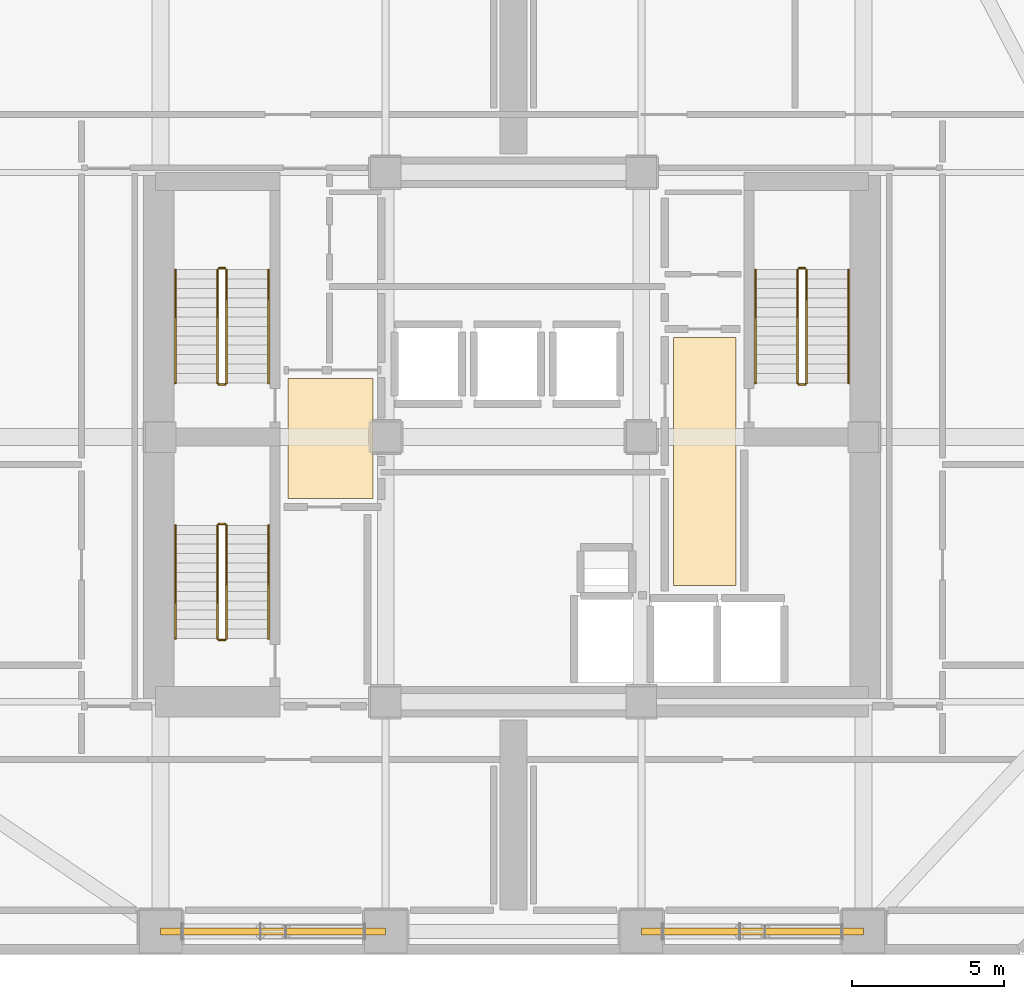
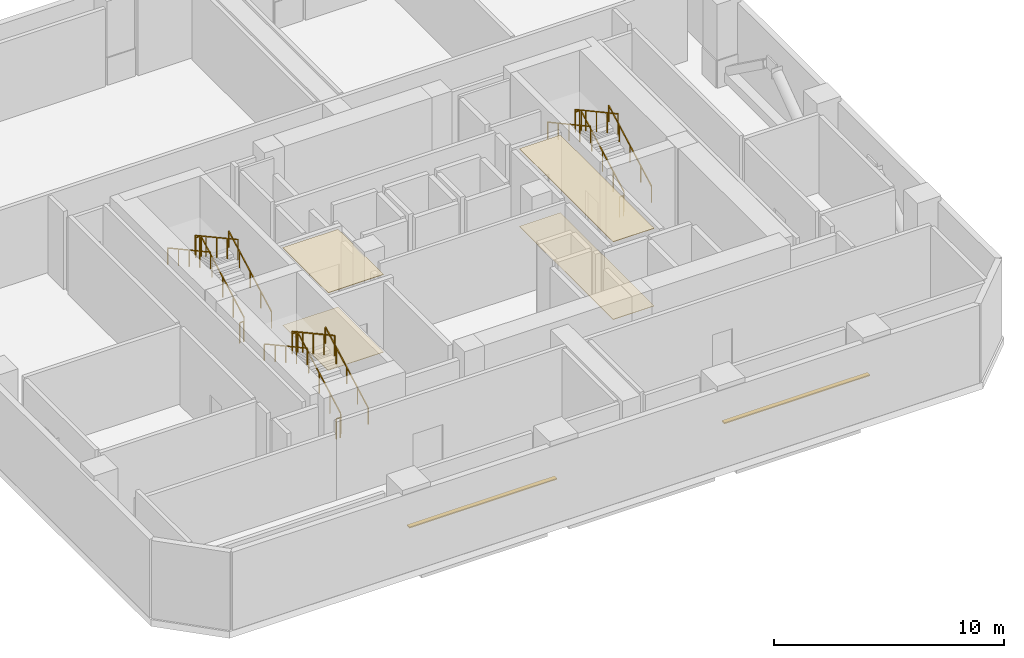
# One storey, part 11 of 11: 18 railings, 4 coverings, 2 shading devices.
"""IFC4 building model written with IfcOpenShell, lengths in metres."""

import ifcopenshell
import ifcopenshell.guid

model = None  # the IFC model being written
_history = None  # IfcOwnerHistory: only IFC2X3 demands one
_inside = {}  # id of a spatial element -> (the spatial element, [elements in it])
_under = {}  # id of a project, library or spatial element -> (it, [spatial elements below it])
_declared = {}  # id of a project -> (the project, [libraries it declares])
_typed = {}  # id of a type object -> (the type object, [elements of that type])
_made_of = {}  # id of a material, layer set ... -> (it, [elements and type objects made of it])


def new_model(schema):
    """Start an empty IFC model of exactly this schema.

    Asked for "IFC4X3", IfcOpenShell would pick the latest addendum, in which some entities
    have other attributes; the version numbers below select the first issue.
    IFC2X3 requires an IfcOwnerHistory on every rooted entity: one is made here for all.
    """
    global model, _history
    if schema == "IFC4X3":
        model = ifcopenshell.file(schema_version=(4, 3, 0, 0))
    else:
        model = ifcopenshell.file(schema=schema)
    _inside.clear()
    _under.clear()
    _declared.clear()
    _typed.clear()
    _made_of.clear()
    _history = None
    if model.schema == "IFC2X3":
        org = make("IfcOrganization", Name="unknown")
        user = make(
            "IfcPersonAndOrganization",
            ThePerson=make("IfcPerson", FamilyName="unknown"),
            TheOrganization=org,
        )
        app = make(
            "IfcApplication",
            ApplicationDeveloper=org,
            Version="unknown",
            ApplicationFullName="unknown",
            ApplicationIdentifier="unknown",
        )
        _history = make(
            "IfcOwnerHistory",
            OwningUser=user,
            OwningApplication=app,
            ChangeAction="ADDED",
            CreationDate=0,
        )
    return model


def make(cls, **values):
    """One entity of the class cls with the attributes given. An attribute that is None is left unset."""
    return model.create_entity(
        cls, **{name: value for name, value in values.items() if value is not None}
    )


def rooted(cls, **values):
    """An entity with a GlobalId (a new one), such as an element, a storey or a relation."""
    return make(cls, GlobalId=ifcopenshell.guid.new(), OwnerHistory=_history, **values)


def si_unit(unit_type, name, prefix=None):
    """IfcSIUnit, for example si_unit("LENGTHUNIT", "METRE", prefix="MILLI")."""
    return make("IfcSIUnit", UnitType=unit_type, Prefix=prefix, Name=name)


def assignment(units):
    """IfcUnitAssignment: the units of a project."""
    return None if units is None else make("IfcUnitAssignment", Units=units)


def point(xyz):
    """IfcCartesianPoint."""
    return None if xyz is None else make("IfcCartesianPoint", Coordinates=xyz)


def direction(xyz):
    """IfcDirection."""
    return None if xyz is None else make("IfcDirection", DirectionRatios=xyz)


def frame(location, z_axis=None, x_axis=None):
    """IfcAxis2Placement3D, a coordinate frame: its origin and axes. An axis left out is left unset."""
    return make(
        "IfcAxis2Placement3D",
        Location=point(location),
        Axis=direction(z_axis),
        RefDirection=direction(x_axis),
    )


def frame_2d(location, x_axis=None):
    """IfcAxis2Placement2D, a coordinate frame in the plane: its origin and x axis."""
    return make(
        "IfcAxis2Placement2D", Location=point(location), RefDirection=direction(x_axis)
    )


def origin():
    """The frame at (0, 0, 0) with its axes left unset."""
    return frame((0.0, 0.0, 0.0))


def origin_2d():
    """The frame at (0, 0) in the plane with its x axis left unset."""
    return frame_2d((0.0, 0.0))


def place(relative_to, where):
    """IfcLocalPlacement: puts the frame where relative to a parent placement (None: the world)."""
    return make(
        "IfcLocalPlacement", PlacementRelTo=relative_to, RelativePlacement=where
    )


def context(
    kind, dimensions, precision=None, world=None, true_north=None, identifier=None
):
    """IfcGeometricRepresentationContext, for example the 3D "Model" context."""
    return make(
        "IfcGeometricRepresentationContext",
        ContextIdentifier=identifier,
        ContextType=kind,
        CoordinateSpaceDimension=dimensions,
        Precision=precision,
        WorldCoordinateSystem=world,
        TrueNorth=true_north,
    )


def subcontext(parent, identifier, kind, view, scale=None):
    """IfcGeometricRepresentationSubContext, for example "Body" below "Model"."""
    return make(
        "IfcGeometricRepresentationSubContext",
        ContextIdentifier=identifier,
        ContextType=kind,
        ParentContext=parent,
        TargetScale=scale,
        TargetView=view,
    )


def project(units=None, contexts=None):
    """IfcProject with its units and contexts."""
    return rooted(
        "IfcProject",
        Name="project",
        RepresentationContexts=contexts,
        UnitsInContext=assignment(units),
    )


def spatial(cls, under=None, at=None, **own):
    """A site, building, storey or space (cls), placed at a placement, below another one or the project."""
    s = rooted(cls, ObjectPlacement=at, **own)
    if under is not None:
        _under.setdefault(under.id(), (under, []))[1].append(s)
    return s


def polyline(points):
    """IfcPolyline through the points."""
    return make("IfcPolyline", Points=[point(p) for p in points])


def profile(cls, at=None, kind="AREA", **sizes):
    """A parametric profile (cls). Its sizes go by their IFC names, for example OverallWidth=200.0."""
    return make(cls, ProfileType=kind, Position=at, **sizes)


def rectangle(**sizes):
    """IfcRectangleProfileDef."""
    return profile("IfcRectangleProfileDef", **sizes)


def outline(outer, holes=None, kind="AREA"):
    """IfcArbitraryClosedProfileDef: a profile drawn as a closed curve; with holes, ...WithVoids."""
    if holes is None:
        return make("IfcArbitraryClosedProfileDef", ProfileType=kind, OuterCurve=outer)
    return make(
        "IfcArbitraryProfileDefWithVoids",
        ProfileType=kind,
        OuterCurve=outer,
        InnerCurves=holes,
    )


def extrude(swept, where, along, depth):
    """IfcExtrudedAreaSolid: the profile swept, set in the frame where, extruded along a direction by depth."""
    return make(
        "IfcExtrudedAreaSolid",
        SweptArea=swept,
        Position=where,
        ExtrudedDirection=direction(along),
        Depth=depth,
    )


def shape(context_of_items, identifier, shape_type, items):
    """IfcShapeRepresentation: the items that make up one representation, for example the "Body"."""
    return make(
        "IfcShapeRepresentation",
        ContextOfItems=context_of_items,
        RepresentationIdentifier=identifier,
        RepresentationType=shape_type,
        Items=items,
    )


def material(Name=None, Category=None):
    """IfcMaterial."""
    return make("IfcMaterial", Name=Name, Category=Category)


def layer(
    of_material, thickness, ventilated=None, Name=None, Category=None, Priority=None
):
    """IfcMaterialLayer: one layer of a wall or slab, of a material (None: an air gap)."""
    return make(
        "IfcMaterialLayer",
        Material=of_material,
        LayerThickness=thickness,
        IsVentilated=ventilated,
        Name=Name,
        Category=Category,
        Priority=Priority,
    )


def layer_set(layers, Name=None):
    """IfcMaterialLayerSet."""
    return make("IfcMaterialLayerSet", MaterialLayers=layers, LayerSetName=Name)


def made_of(thing, what):
    """Note that an element or type object is made of a material, layer set ...; save() writes the relation."""
    if what is not None:
        _made_of.setdefault(what.id(), (what, []))[1].append(thing)
    return thing


def type_object(cls, material=None, **own):
    """A type object (cls), such as IfcWallType, which elements share."""
    return made_of(rooted(cls, **own), material)


def element(
    cls,
    number,
    at=None,
    inside=None,
    cuts=None,
    type_object=None,
    material=None,
    context=None,
    identifier="Body",
    shape_type=None,
    held_by="IfcProductDefinitionShape",
    body=None,
    shapes=None,
    **own,
):
    """One element of the class cls, such as IfcWall. Its Tag is "e" and its number.

    at: its placement. inside: the storey or other place that contains it. cuts: it is an
    opening in that element (IfcRelVoidsElement). A single representation is given by context,
    identifier, shape_type and body (its items); several are given by shapes. held_by: the class
    of the entity that holds the representations. save() writes the other relations.
    """
    e = rooted(cls, Tag="e%d" % number, ObjectPlacement=at, **own)
    if body is not None:
        shapes = [shape(context, identifier, shape_type, body)]
    if shapes is not None:
        e.Representation = make(held_by, Representations=shapes)
    if inside is not None:
        _inside.setdefault(inside.id(), (inside, []))[1].append(e)
    if cuts is not None:
        rooted(
            "IfcRelVoidsElement", RelatingBuildingElement=cuts, RelatedOpeningElement=e
        )
    if type_object is not None:
        _typed.setdefault(type_object.id(), (type_object, []))[1].append(e)
    return made_of(e, material)


def aggregate(whole, parts):
    """IfcRelAggregates: a whole, such as a stair, and the parts it consists of."""
    return rooted("IfcRelAggregates", RelatingObject=whole, RelatedObjects=parts)


def save(model, path):
    """Write the relations noted so far, then the file.

    IfcRelAggregates (storeys below a building ...), IfcRelContainedInSpatialStructure (elements
    in a storey), IfcRelDefinesByType, IfcRelAssociatesMaterial and IfcRelDeclares: one each for
    every whole, place, type object, material and project.
    """
    for whole, parts in _under.values():
        aggregate(whole, parts)
    for where, things in _inside.values():
        rooted(
            "IfcRelContainedInSpatialStructure",
            RelatedElements=things,
            RelatingStructure=where,
        )
    for kind, things in _typed.values():
        rooted("IfcRelDefinesByType", RelatedObjects=things, RelatingType=kind)
    for what, things in _made_of.values():
        rooted("IfcRelAssociatesMaterial", RelatedObjects=things, RelatingMaterial=what)
    for by, libraries in _declared.values():
        rooted("IfcRelDeclares", RelatingContext=by, RelatedDefinitions=libraries)
    model.write(path)


model = new_model("IFC4")

# Units and contexts
model_context = context("Model", 3, precision=1e-05, world=origin(), true_north=direction((0.0, 1.0)))
body_context = subcontext(model_context, "Body", "Model", "MODEL_VIEW")
ifc_project = project(units=[si_unit("LENGTHUNIT", "METRE"), si_unit("AREAUNIT", "SQUARE_METRE"), si_unit("VOLUMEUNIT", "CUBIC_METRE"), si_unit("PLANEANGLEUNIT", "RADIAN"), si_unit("MASSUNIT", "GRAM", prefix="KILO")], contexts=[model_context])

# Site, building, storey
site_placement = place(None, origin())
site = spatial("IfcSite", under=ifc_project, at=site_placement, CompositionType="ELEMENT")
building_placement = place(site_placement, origin())
building = spatial("IfcBuilding", under=site, at=building_placement, Name="Solanera Arch Residences", CompositionType="ELEMENT")
storey_placement = place(building_placement, frame((0.0, 0.0, 88.39990234375)))
storey = spatial("IfcBuildingStorey", under=building, at=storey_placement, Name="L25", CompositionType="ELEMENT", Elevation=88.39990234375)

# Coverings
ifc_material_1 = material(Name="Porcelain Acoustic Floor Tile", Category="ceramic")
ifc_layer_1 = layer(ifc_material_1, 0.02001953125)
ifc_layer_set_1 = layer_set([ifc_layer_1], Name="Porcelain Acoustic Floor Tile")
covering_type_1 = type_object("IfcCoveringType", Name="Porcelain Acoustic Floor Finish FLR-20", PredefinedType="FLOORING", material=ifc_layer_set_1)
covering_1_placement = place(storey_placement, origin())
element("IfcCovering", 1, at=covering_1_placement, inside=storey, type_object=covering_type_1, Name="L25-FFL-W Porcelain Floor Finish", PredefinedType="FLOORING", context=body_context, shape_type="SweptSolid", body=[
    extrude(outline(polyline([(20.375, 28.675048828125), (17.594970703125, 28.675048828125), (17.594970703125, 32.625), (20.375, 32.625), (20.375, 28.675048828125)])), origin(), (0.0, 0.0, 1.0), 0.02001953125),
])
covering_2_placement = place(storey_placement, origin())
element("IfcCovering", 2, at=covering_2_placement, inside=storey, type_object=covering_type_1, Name="L25-FFL-E Porcelain Floor Finish", PredefinedType="FLOORING", context=body_context, shape_type="SweptSolid", body=[
    extrude(outline(polyline([(32.304931640625, 25.824951171875), (30.25, 25.824951171875), (30.25, 33.97509765625), (32.304931640625, 33.97509765625), (32.304931640625, 25.824951171875)])), origin(), (0.0, 0.0, 1.0), 0.02001953125),
])

# Railings
ifc_material_2 = material(Name="Steel S355 (ASTM A992 / A572 Grade 50)", Category="steel")
railing_type_1 = type_object("IfcRailingType", Name="Stair Guardrail GR-1100", PredefinedType="GUARDRAIL", material=ifc_material_2)
railing_1_placement = place(storey_placement, frame((15.570068359375, 32.47998046875, 0.154296875)))
element("IfcRailing", 3, at=railing_1_placement, inside=storey, type_object=railing_type_1, Name="L25 ST-T1 stair guard 1", PredefinedType="GUARDRAIL", context=body_context, shape_type="SweptSolid", body=[
    extrude(rectangle(XDim=0.048095703125, YDim=0.048095703125, at=origin_2d()), frame((0.0, 0.0, 1.076171875), z_axis=(0.0, 0.877728207833, 0.479158839191), x_axis=(-1.0, 0.0, 0.0)), (0.0, 0.0, 1.0), 4.23828125),
    extrude(rectangle(XDim=0.0419921875, YDim=0.0419921875, at=origin_2d()), origin(), (0.0, 0.0, 1.0), 1.052001953125),
    extrude(rectangle(XDim=0.0419921875, YDim=0.0419921875, at=origin_2d()), frame((0.0, 0.929931640625, 0.5078125)), (0.0, 0.0, 1.0), 1.052001953125),
    extrude(rectangle(XDim=0.0419921875, YDim=0.0419921875, at=origin_2d()), frame((0.0, 1.85986328125, 1.015380859375)), (0.0, 0.0, 1.0), 1.052001953125),
    extrude(rectangle(XDim=0.0419921875, YDim=0.0419921875, at=origin_2d()), frame((0.0, 2.7900390625, 1.52294921875)), (0.0, 0.0, 1.0), 1.052001953125),
    extrude(rectangle(XDim=0.0419921875, YDim=0.0419921875, at=origin_2d()), frame((0.0, 3.719970703125, 2.03076171875)), (0.0, 0.0, 1.0), 1.052001953125),
])
railing_2_placement = place(storey_placement, frame((15.52001953125, 36.25, 2.18505859375)))
element("IfcRailing", 4, at=railing_2_placement, inside=storey, type_object=railing_type_1, Name="L25 ST-T1 stair guard 2", PredefinedType="GUARDRAIL", context=body_context, shape_type="SweptSolid", body=[
    extrude(rectangle(XDim=0.048095703125, YDim=0.048095703125, at=origin_2d()), frame((0.0, 0.0, 1.076171875), z_axis=(-1.0, 0.0, 0.0), x_axis=(0.0, -1.0, 0.0)), (0.0, 0.0, 1.0), 0.199951171875),
    extrude(rectangle(XDim=0.0419921875, YDim=0.0419921875, at=origin_2d()), origin(), (0.0, 0.0, 1.0), 1.052001953125),
    extrude(rectangle(XDim=0.0419921875, YDim=0.0419921875, at=origin_2d()), frame((-0.199951171875, 0.0, 0.0)), (0.0, 0.0, 1.0), 1.052001953125),
])
railing_3_placement = place(storey_placement, frame((15.27001953125, 36.199951171875, 2.354248046875)))
element("IfcRailing", 5, at=railing_3_placement, inside=storey, type_object=railing_type_1, Name="L25 ST-T1 stair guard 3", PredefinedType="GUARDRAIL", context=body_context, shape_type="SweptSolid", body=[
    extrude(rectangle(XDim=0.048095703125, YDim=0.048095703125, at=origin_2d()), frame((0.0, 0.0, 1.076171875), z_axis=(0.0, -0.877728207833, 0.479158839191), x_axis=(1.0, 0.0, 0.0)), (0.0, 0.0, 1.0), 4.23828125),
    extrude(rectangle(XDim=0.0419921875, YDim=0.0419921875, at=origin_2d()), origin(), (0.0, 0.0, 1.0), 1.052001953125),
    extrude(rectangle(XDim=0.0419921875, YDim=0.0419921875, at=origin_2d()), frame((0.0, -0.929931640625, 0.5078125)), (0.0, 0.0, 1.0), 1.052001953125),
    extrude(rectangle(XDim=0.0419921875, YDim=0.0419921875, at=origin_2d()), frame((0.0, -1.85986328125, 1.015380859375)), (0.0, 0.0, 1.0), 1.052001953125),
    extrude(rectangle(XDim=0.0419921875, YDim=0.0419921875, at=origin_2d()), frame((0.0, -2.7900390625, 1.52294921875)), (0.0, 0.0, 1.0), 1.052001953125),
    extrude(rectangle(XDim=0.0419921875, YDim=0.0419921875, at=origin_2d()), frame((0.0, -3.719970703125, 2.03076171875)), (0.0, 0.0, 1.0), 1.052001953125),
])
railing_4_placement = place(storey_placement, frame((15.52001953125, 32.429931640625, -0.014892578125)))
element("IfcRailing", 6, at=railing_4_placement, inside=storey, type_object=railing_type_1, Name="L25 ST-T1 stair guard 4", PredefinedType="GUARDRAIL", context=body_context, shape_type="SweptSolid", body=[
    extrude(rectangle(XDim=0.048095703125, YDim=0.048095703125, at=origin_2d()), frame((0.0, 0.0, 1.076171875), z_axis=(-1.0, 0.0, 0.0), x_axis=(0.0, -1.0, 0.0)), (0.0, 0.0, 1.0), 0.199951171875),
    extrude(rectangle(XDim=0.0419921875, YDim=0.0419921875, at=origin_2d()), origin(), (0.0, 0.0, 1.0), 1.052001953125),
    extrude(rectangle(XDim=0.0419921875, YDim=0.0419921875, at=origin_2d()), frame((-0.199951171875, 0.0, 0.0)), (0.0, 0.0, 1.0), 1.052001953125),
])
railing_5_placement = place(storey_placement, frame((34.6298828125, 32.47998046875, 0.154296875)))
element("IfcRailing", 7, at=railing_5_placement, inside=storey, type_object=railing_type_1, Name="L25 ST-T2 stair guard 1", PredefinedType="GUARDRAIL", context=body_context, shape_type="SweptSolid", body=[
    extrude(rectangle(XDim=0.048095703125, YDim=0.048095703125, at=origin_2d()), frame((0.0, 0.0, 1.076171875), z_axis=(0.0, 0.877728207833, 0.479158839191), x_axis=(-1.0, 0.0, 0.0)), (0.0, 0.0, 1.0), 4.23828125),
    extrude(rectangle(XDim=0.0419921875, YDim=0.0419921875, at=origin_2d()), origin(), (0.0, 0.0, 1.0), 1.052001953125),
    extrude(rectangle(XDim=0.0419921875, YDim=0.0419921875, at=origin_2d()), frame((0.0, 0.929931640625, 0.5078125)), (0.0, 0.0, 1.0), 1.052001953125),
    extrude(rectangle(XDim=0.0419921875, YDim=0.0419921875, at=origin_2d()), frame((0.0, 1.85986328125, 1.015380859375)), (0.0, 0.0, 1.0), 1.052001953125),
    extrude(rectangle(XDim=0.0419921875, YDim=0.0419921875, at=origin_2d()), frame((0.0, 2.7900390625, 1.52294921875)), (0.0, 0.0, 1.0), 1.052001953125),
    extrude(rectangle(XDim=0.0419921875, YDim=0.0419921875, at=origin_2d()), frame((0.0, 3.719970703125, 2.03076171875)), (0.0, 0.0, 1.0), 1.052001953125),
])
railing_6_placement = place(storey_placement, frame((34.580078125, 36.25, 2.18505859375)))
element("IfcRailing", 8, at=railing_6_placement, inside=storey, type_object=railing_type_1, Name="L25 ST-T2 stair guard 2", PredefinedType="GUARDRAIL", context=body_context, shape_type="SweptSolid", body=[
    extrude(rectangle(XDim=0.048095703125, YDim=0.048095703125, at=origin_2d()), frame((0.0, 0.0, 1.076171875), z_axis=(-1.0, 0.0, 0.0), x_axis=(0.0, -1.0, 0.0)), (0.0, 0.0, 1.0), 0.2001953125),
    extrude(rectangle(XDim=0.0419921875, YDim=0.0419921875, at=origin_2d()), origin(), (0.0, 0.0, 1.0), 1.052001953125),
    extrude(rectangle(XDim=0.0419921875, YDim=0.0419921875, at=origin_2d()), frame((-0.2001953125, 0.0, 0.0)), (0.0, 0.0, 1.0), 1.052001953125),
])
railing_7_placement = place(storey_placement, frame((34.330078125, 36.199951171875, 2.354248046875)))
element("IfcRailing", 9, at=railing_7_placement, inside=storey, type_object=railing_type_1, Name="L25 ST-T2 stair guard 3", PredefinedType="GUARDRAIL", context=body_context, shape_type="SweptSolid", body=[
    extrude(rectangle(XDim=0.048095703125, YDim=0.048095703125, at=origin_2d()), frame((0.0, 0.0, 1.076171875), z_axis=(0.0, -0.877728207833, 0.479158839191), x_axis=(1.0, 0.0, 0.0)), (0.0, 0.0, 1.0), 4.23828125),
    extrude(rectangle(XDim=0.0419921875, YDim=0.0419921875, at=origin_2d()), origin(), (0.0, 0.0, 1.0), 1.052001953125),
    extrude(rectangle(XDim=0.0419921875, YDim=0.0419921875, at=origin_2d()), frame((0.0, -0.929931640625, 0.5078125)), (0.0, 0.0, 1.0), 1.052001953125),
    extrude(rectangle(XDim=0.0419921875, YDim=0.0419921875, at=origin_2d()), frame((0.0, -1.85986328125, 1.015380859375)), (0.0, 0.0, 1.0), 1.052001953125),
    extrude(rectangle(XDim=0.0419921875, YDim=0.0419921875, at=origin_2d()), frame((0.0, -2.7900390625, 1.52294921875)), (0.0, 0.0, 1.0), 1.052001953125),
    extrude(rectangle(XDim=0.0419921875, YDim=0.0419921875, at=origin_2d()), frame((0.0, -3.719970703125, 2.03076171875)), (0.0, 0.0, 1.0), 1.052001953125),
])
railing_8_placement = place(storey_placement, frame((34.580078125, 32.429931640625, -0.014892578125)))
element("IfcRailing", 10, at=railing_8_placement, inside=storey, type_object=railing_type_1, Name="L25 ST-T2 stair guard 4", PredefinedType="GUARDRAIL", context=body_context, shape_type="SweptSolid", body=[
    extrude(rectangle(XDim=0.048095703125, YDim=0.048095703125, at=origin_2d()), frame((0.0, 0.0, 1.076171875), z_axis=(-1.0, 0.0, 0.0), x_axis=(0.0, -1.0, 0.0)), (0.0, 0.0, 1.0), 0.2001953125),
    extrude(rectangle(XDim=0.0419921875, YDim=0.0419921875, at=origin_2d()), origin(), (0.0, 0.0, 1.0), 1.052001953125),
    extrude(rectangle(XDim=0.0419921875, YDim=0.0419921875, at=origin_2d()), frame((-0.2001953125, 0.0, 0.0)), (0.0, 0.0, 1.0), 1.052001953125),
])
railing_9_placement = place(storey_placement, frame((15.570068359375, 24.080078125, 0.154296875)))
element("IfcRailing", 11, at=railing_9_placement, inside=storey, type_object=railing_type_1, Name="L25 ST-T3 stair guard 1", PredefinedType="GUARDRAIL", context=body_context, shape_type="SweptSolid", body=[
    extrude(rectangle(XDim=0.048095703125, YDim=0.048095703125, at=origin_2d()), frame((0.0, 0.0, 1.076171875), z_axis=(0.0, 0.877728207833, 0.479158839191), x_axis=(-1.0, 0.0, 0.0)), (0.0, 0.0, 1.0), 4.23828125),
    extrude(rectangle(XDim=0.0419921875, YDim=0.0419921875, at=origin_2d()), origin(), (0.0, 0.0, 1.0), 1.052001953125),
    extrude(rectangle(XDim=0.0419921875, YDim=0.0419921875, at=origin_2d()), frame((0.0, 0.929931640625, 0.5078125)), (0.0, 0.0, 1.0), 1.052001953125),
    extrude(rectangle(XDim=0.0419921875, YDim=0.0419921875, at=origin_2d()), frame((0.0, 1.85986328125, 1.015380859375)), (0.0, 0.0, 1.0), 1.052001953125),
    extrude(rectangle(XDim=0.0419921875, YDim=0.0419921875, at=origin_2d()), frame((0.0, 2.7900390625, 1.52294921875)), (0.0, 0.0, 1.0), 1.052001953125),
    extrude(rectangle(XDim=0.0419921875, YDim=0.0419921875, at=origin_2d()), frame((0.0, 3.719970703125, 2.03076171875)), (0.0, 0.0, 1.0), 1.052001953125),
])
railing_10_placement = place(storey_placement, frame((15.52001953125, 27.85009765625, 2.18505859375)))
element("IfcRailing", 12, at=railing_10_placement, inside=storey, type_object=railing_type_1, Name="L25 ST-T3 stair guard 2", PredefinedType="GUARDRAIL", context=body_context, shape_type="SweptSolid", body=[
    extrude(rectangle(XDim=0.048095703125, YDim=0.048095703125, at=origin_2d()), frame((0.0, 0.0, 1.076171875), z_axis=(-1.0, 0.0, 0.0), x_axis=(0.0, -1.0, 0.0)), (0.0, 0.0, 1.0), 0.199951171875),
    extrude(rectangle(XDim=0.0419921875, YDim=0.0419921875, at=origin_2d()), origin(), (0.0, 0.0, 1.0), 1.052001953125),
    extrude(rectangle(XDim=0.0419921875, YDim=0.0419921875, at=origin_2d()), frame((-0.199951171875, 0.0, 0.0)), (0.0, 0.0, 1.0), 1.052001953125),
])
railing_11_placement = place(storey_placement, frame((15.27001953125, 27.800048828125, 2.354248046875)))
element("IfcRailing", 13, at=railing_11_placement, inside=storey, type_object=railing_type_1, Name="L25 ST-T3 stair guard 3", PredefinedType="GUARDRAIL", context=body_context, shape_type="SweptSolid", body=[
    extrude(rectangle(XDim=0.048095703125, YDim=0.048095703125, at=origin_2d()), frame((0.0, 0.0, 1.076171875), z_axis=(0.0, -0.877728207833, 0.479158839191), x_axis=(1.0, 0.0, 0.0)), (0.0, 0.0, 1.0), 4.23828125),
    extrude(rectangle(XDim=0.0419921875, YDim=0.0419921875, at=origin_2d()), origin(), (0.0, 0.0, 1.0), 1.052001953125),
    extrude(rectangle(XDim=0.0419921875, YDim=0.0419921875, at=origin_2d()), frame((0.0, -0.929931640625, 0.5078125)), (0.0, 0.0, 1.0), 1.052001953125),
    extrude(rectangle(XDim=0.0419921875, YDim=0.0419921875, at=origin_2d()), frame((0.0, -1.85986328125, 1.015380859375)), (0.0, 0.0, 1.0), 1.052001953125),
    extrude(rectangle(XDim=0.0419921875, YDim=0.0419921875, at=origin_2d()), frame((0.0, -2.7900390625, 1.52294921875)), (0.0, 0.0, 1.0), 1.052001953125),
    extrude(rectangle(XDim=0.0419921875, YDim=0.0419921875, at=origin_2d()), frame((0.0, -3.719970703125, 2.03076171875)), (0.0, 0.0, 1.0), 1.052001953125),
])
railing_12_placement = place(storey_placement, frame((15.52001953125, 24.030029296875, -0.014892578125)))
element("IfcRailing", 14, at=railing_12_placement, inside=storey, type_object=railing_type_1, Name="L25 ST-T3 stair guard 4", PredefinedType="GUARDRAIL", context=body_context, shape_type="SweptSolid", body=[
    extrude(rectangle(XDim=0.048095703125, YDim=0.048095703125, at=origin_2d()), frame((0.0, 0.0, 1.076171875), z_axis=(-1.0, 0.0, 0.0), x_axis=(0.0, -1.0, 0.0)), (0.0, 0.0, 1.0), 0.199951171875),
    extrude(rectangle(XDim=0.0419921875, YDim=0.0419921875, at=origin_2d()), origin(), (0.0, 0.0, 1.0), 1.052001953125),
    extrude(rectangle(XDim=0.0419921875, YDim=0.0419921875, at=origin_2d()), frame((-0.199951171875, 0.0, 0.0)), (0.0, 0.0, 1.0), 1.052001953125),
])
ifc_material_3 = material(Name="Steel S355 (ASTM A992 / A572 Grade 50)", Category="steel")
railing_type_2 = type_object("IfcRailingType", Name="Stair Wall Handrail HR-920", PredefinedType="HANDRAIL", material=ifc_material_3)
railing_13_placement = place(storey_placement, frame((16.949951171875, 32.47998046875, 0.16943359375)))
element("IfcRailing", 15, at=railing_13_placement, inside=storey, type_object=railing_type_2, Name="L25 ST-T1 stair handrail 1", PredefinedType="HANDRAIL", context=body_context, shape_type="SweptSolid", body=[
    extrude(rectangle(XDim=0.048095703125, YDim=0.048095703125, at=origin_2d()), frame((0.0, 0.0, 0.8759765625), z_axis=(0.0, 0.877728207833, 0.479158839191), x_axis=(-1.0, 0.0, 0.0)), (0.0, 0.0, 1.0), 4.23828125),
    extrude(rectangle(XDim=0.0419921875, YDim=0.0419921875, at=origin_2d()), origin(), (0.0, 0.0, 1.0), 0.851806640625),
    extrude(rectangle(XDim=0.0419921875, YDim=0.0419921875, at=origin_2d()), frame((0.0, 0.929931640625, 0.5078125)), (0.0, 0.0, 1.0), 0.851806640625),
    extrude(rectangle(XDim=0.0419921875, YDim=0.0419921875, at=origin_2d()), frame((0.0, 1.85986328125, 1.015380859375)), (0.0, 0.0, 1.0), 0.851806640625),
    extrude(rectangle(XDim=0.0419921875, YDim=0.0419921875, at=origin_2d()), frame((0.0, 2.7900390625, 1.52294921875)), (0.0, 0.0, 1.0), 0.851806640625),
    extrude(rectangle(XDim=0.0419921875, YDim=0.0419921875, at=origin_2d()), frame((0.0, 3.719970703125, 2.03076171875)), (0.0, 0.0, 1.0), 0.851806640625),
])
railing_14_placement = place(storey_placement, frame((13.889892578125, 36.199951171875, 2.369384765625)))
element("IfcRailing", 16, at=railing_14_placement, inside=storey, type_object=railing_type_2, Name="L25 ST-T1 stair handrail 2", PredefinedType="HANDRAIL", context=body_context, shape_type="SweptSolid", body=[
    extrude(rectangle(XDim=0.048095703125, YDim=0.048095703125, at=origin_2d()), frame((0.0, 0.0, 0.8759765625), z_axis=(0.0, -0.877728207833, 0.479158839191), x_axis=(1.0, 0.0, 0.0)), (0.0, 0.0, 1.0), 4.23828125),
    extrude(rectangle(XDim=0.0419921875, YDim=0.0419921875, at=origin_2d()), origin(), (0.0, 0.0, 1.0), 0.851806640625),
    extrude(rectangle(XDim=0.0419921875, YDim=0.0419921875, at=origin_2d()), frame((0.0, -0.929931640625, 0.5078125)), (0.0, 0.0, 1.0), 0.851806640625),
    extrude(rectangle(XDim=0.0419921875, YDim=0.0419921875, at=origin_2d()), frame((0.0, -1.85986328125, 1.015380859375)), (0.0, 0.0, 1.0), 0.851806640625),
    extrude(rectangle(XDim=0.0419921875, YDim=0.0419921875, at=origin_2d()), frame((0.0, -2.7900390625, 1.52294921875)), (0.0, 0.0, 1.0), 0.851806640625),
    extrude(rectangle(XDim=0.0419921875, YDim=0.0419921875, at=origin_2d()), frame((0.0, -3.719970703125, 2.03076171875)), (0.0, 0.0, 1.0), 0.851806640625),
])
railing_15_placement = place(storey_placement, frame((36.010009765625, 32.47998046875, 0.16943359375)))
element("IfcRailing", 17, at=railing_15_placement, inside=storey, type_object=railing_type_2, Name="L25 ST-T2 stair handrail 1", PredefinedType="HANDRAIL", context=body_context, shape_type="SweptSolid", body=[
    extrude(rectangle(XDim=0.048095703125, YDim=0.048095703125, at=origin_2d()), frame((0.0, 0.0, 0.8759765625), z_axis=(0.0, 0.877728207833, 0.479158839191), x_axis=(-1.0, 0.0, 0.0)), (0.0, 0.0, 1.0), 4.23828125),
    extrude(rectangle(XDim=0.0419921875, YDim=0.0419921875, at=origin_2d()), origin(), (0.0, 0.0, 1.0), 0.851806640625),
    extrude(rectangle(XDim=0.0419921875, YDim=0.0419921875, at=origin_2d()), frame((0.0, 0.929931640625, 0.5078125)), (0.0, 0.0, 1.0), 0.851806640625),
    extrude(rectangle(XDim=0.0419921875, YDim=0.0419921875, at=origin_2d()), frame((0.0, 1.85986328125, 1.015380859375)), (0.0, 0.0, 1.0), 0.851806640625),
    extrude(rectangle(XDim=0.0419921875, YDim=0.0419921875, at=origin_2d()), frame((0.0, 2.7900390625, 1.52294921875)), (0.0, 0.0, 1.0), 0.851806640625),
    extrude(rectangle(XDim=0.0419921875, YDim=0.0419921875, at=origin_2d()), frame((0.0, 3.719970703125, 2.03076171875)), (0.0, 0.0, 1.0), 0.851806640625),
])
railing_16_placement = place(storey_placement, frame((32.949951171875, 36.199951171875, 2.369384765625)))
element("IfcRailing", 18, at=railing_16_placement, inside=storey, type_object=railing_type_2, Name="L25 ST-T2 stair handrail 2", PredefinedType="HANDRAIL", context=body_context, shape_type="SweptSolid", body=[
    extrude(rectangle(XDim=0.048095703125, YDim=0.048095703125, at=origin_2d()), frame((0.0, 0.0, 0.8759765625), z_axis=(0.0, -0.877728207833, 0.479158839191), x_axis=(1.0, 0.0, 0.0)), (0.0, 0.0, 1.0), 4.23828125),
    extrude(rectangle(XDim=0.0419921875, YDim=0.0419921875, at=origin_2d()), origin(), (0.0, 0.0, 1.0), 0.851806640625),
    extrude(rectangle(XDim=0.0419921875, YDim=0.0419921875, at=origin_2d()), frame((0.0, -0.929931640625, 0.5078125)), (0.0, 0.0, 1.0), 0.851806640625),
    extrude(rectangle(XDim=0.0419921875, YDim=0.0419921875, at=origin_2d()), frame((0.0, -1.85986328125, 1.015380859375)), (0.0, 0.0, 1.0), 0.851806640625),
    extrude(rectangle(XDim=0.0419921875, YDim=0.0419921875, at=origin_2d()), frame((0.0, -2.7900390625, 1.52294921875)), (0.0, 0.0, 1.0), 0.851806640625),
    extrude(rectangle(XDim=0.0419921875, YDim=0.0419921875, at=origin_2d()), frame((0.0, -3.719970703125, 2.03076171875)), (0.0, 0.0, 1.0), 0.851806640625),
])
railing_17_placement = place(storey_placement, frame((16.949951171875, 24.080078125, 0.16943359375)))
element("IfcRailing", 19, at=railing_17_placement, inside=storey, type_object=railing_type_2, Name="L25 ST-T3 stair handrail 1", PredefinedType="HANDRAIL", context=body_context, shape_type="SweptSolid", body=[
    extrude(rectangle(XDim=0.048095703125, YDim=0.048095703125, at=origin_2d()), frame((0.0, 0.0, 0.8759765625), z_axis=(0.0, 0.877728207833, 0.479158839191), x_axis=(-1.0, 0.0, 0.0)), (0.0, 0.0, 1.0), 4.23828125),
    extrude(rectangle(XDim=0.0419921875, YDim=0.0419921875, at=origin_2d()), origin(), (0.0, 0.0, 1.0), 0.851806640625),
    extrude(rectangle(XDim=0.0419921875, YDim=0.0419921875, at=origin_2d()), frame((0.0, 0.929931640625, 0.5078125)), (0.0, 0.0, 1.0), 0.851806640625),
    extrude(rectangle(XDim=0.0419921875, YDim=0.0419921875, at=origin_2d()), frame((0.0, 1.85986328125, 1.015380859375)), (0.0, 0.0, 1.0), 0.851806640625),
    extrude(rectangle(XDim=0.0419921875, YDim=0.0419921875, at=origin_2d()), frame((0.0, 2.7900390625, 1.52294921875)), (0.0, 0.0, 1.0), 0.851806640625),
    extrude(rectangle(XDim=0.0419921875, YDim=0.0419921875, at=origin_2d()), frame((0.0, 3.719970703125, 2.03076171875)), (0.0, 0.0, 1.0), 0.851806640625),
])
railing_18_placement = place(storey_placement, frame((13.889892578125, 27.800048828125, 2.369384765625)))
element("IfcRailing", 20, at=railing_18_placement, inside=storey, type_object=railing_type_2, Name="L25 ST-T3 stair handrail 2", PredefinedType="HANDRAIL", context=body_context, shape_type="SweptSolid", body=[
    extrude(rectangle(XDim=0.048095703125, YDim=0.048095703125, at=origin_2d()), frame((0.0, 0.0, 0.8759765625), z_axis=(0.0, -0.877728207833, 0.479158839191), x_axis=(1.0, 0.0, 0.0)), (0.0, 0.0, 1.0), 4.23828125),
    extrude(rectangle(XDim=0.0419921875, YDim=0.0419921875, at=origin_2d()), origin(), (0.0, 0.0, 1.0), 0.851806640625),
    extrude(rectangle(XDim=0.0419921875, YDim=0.0419921875, at=origin_2d()), frame((0.0, -0.929931640625, 0.5078125)), (0.0, 0.0, 1.0), 0.851806640625),
    extrude(rectangle(XDim=0.0419921875, YDim=0.0419921875, at=origin_2d()), frame((0.0, -1.85986328125, 1.015380859375)), (0.0, 0.0, 1.0), 0.851806640625),
    extrude(rectangle(XDim=0.0419921875, YDim=0.0419921875, at=origin_2d()), frame((0.0, -2.7900390625, 1.52294921875)), (0.0, 0.0, 1.0), 0.851806640625),
    extrude(rectangle(XDim=0.0419921875, YDim=0.0419921875, at=origin_2d()), frame((0.0, -3.719970703125, 2.03076171875)), (0.0, 0.0, 1.0), 0.851806640625),
])

# Coverings
ifc_material_4 = material(Name="Mineral Fibre Acoustic Ceiling Board", Category="gypsum")
ifc_layer_2 = layer(ifc_material_4, 0.02490234375)
ifc_layer_set_2 = layer_set([ifc_layer_2], Name="Mineral Fibre Acoustic Ceiling Board")
covering_type_2 = type_object("IfcCoveringType", Name="Suspended Acoustic Ceiling Board CLG-25", PredefinedType="CEILING", material=ifc_layer_set_2)
covering_3_placement = place(storey_placement, frame((0.0, 0.0, 4.114990234375)))
element("IfcCovering", 21, at=covering_3_placement, inside=storey, type_object=covering_type_2, Name="L25-FFL-W Acoustic Ceiling", PredefinedType="CEILING", context=body_context, shape_type="SweptSolid", body=[
    extrude(outline(polyline([(20.375, 28.675048828125), (17.594970703125, 28.675048828125), (17.594970703125, 32.625), (20.375, 32.625), (20.375, 28.675048828125)])), origin(), (0.0, 0.0, 1.0), 0.025146484375),
])
covering_4_placement = place(storey_placement, frame((0.0, 0.0, 4.114990234375)))
element("IfcCovering", 22, at=covering_4_placement, inside=storey, type_object=covering_type_2, Name="L25-FFL-E Acoustic Ceiling", PredefinedType="CEILING", context=body_context, shape_type="SweptSolid", body=[
    extrude(outline(polyline([(32.304931640625, 25.824951171875), (30.25, 25.824951171875), (30.25, 33.97509765625), (32.304931640625, 33.97509765625), (32.304931640625, 25.824951171875)])), origin(), (0.0, 0.0, 1.0), 0.025146484375),
])

# Shading devices
ifc_material_5 = material(Name="Anodised Aluminium Alloy 6063-T6", Category="aluminium")
shading_device_type = type_object("IfcShadingDeviceType", Name="Aluminium Acoustic Brise-Soleil Louvre LV-200", PredefinedType="JALOUSIE", material=ifc_material_5)
shading_device_1_placement = place(storey_placement, frame((17.10009765625, 14.449951171875, 1.800048828125)))
element("IfcShadingDevice", 23, at=shading_device_1_placement, inside=storey, type_object=shading_device_type, material=ifc_material_5, Name="L25 Outrigger Acoustic Louvre Screen 1", PredefinedType="JALOUSIE", context=body_context, shape_type="SweptSolid", body=[
    extrude(rectangle(XDim=7.4, YDim=0.22, at=origin_2d()), origin(), (0.0, 0.0, 1.0), 0.06),
])
shading_device_2_placement = place(storey_placement, frame((32.85009765625, 14.449951171875, 1.800048828125)))
element("IfcShadingDevice", 24, at=shading_device_2_placement, inside=storey, type_object=shading_device_type, material=ifc_material_5, Name="L25 Outrigger Acoustic Louvre Screen 2", PredefinedType="JALOUSIE", context=body_context, shape_type="SweptSolid", body=[
    extrude(rectangle(XDim=7.300000000000001, YDim=0.22, at=origin_2d()), origin(), (0.0, 0.0, 1.0), 0.06),
])

save(model, "model.ifc")
